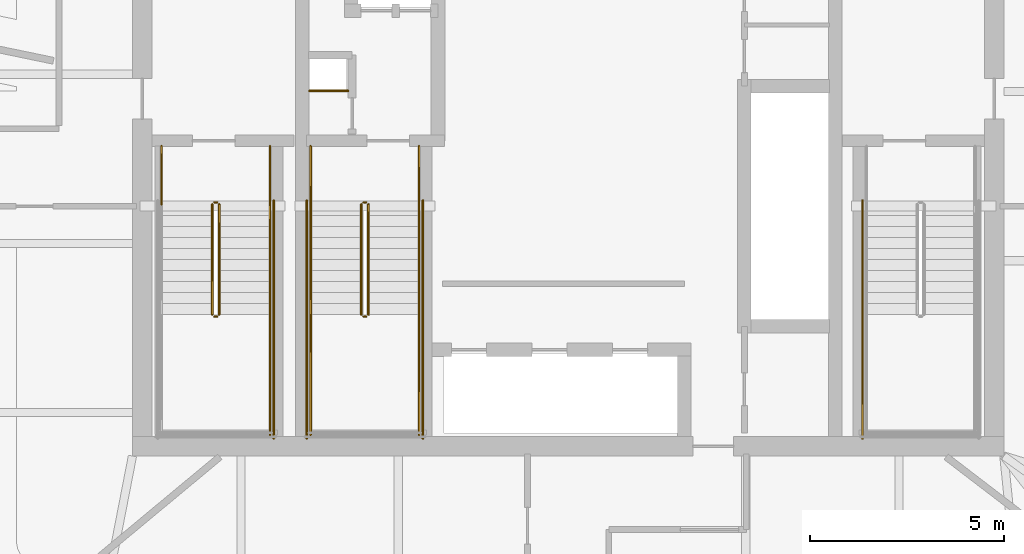
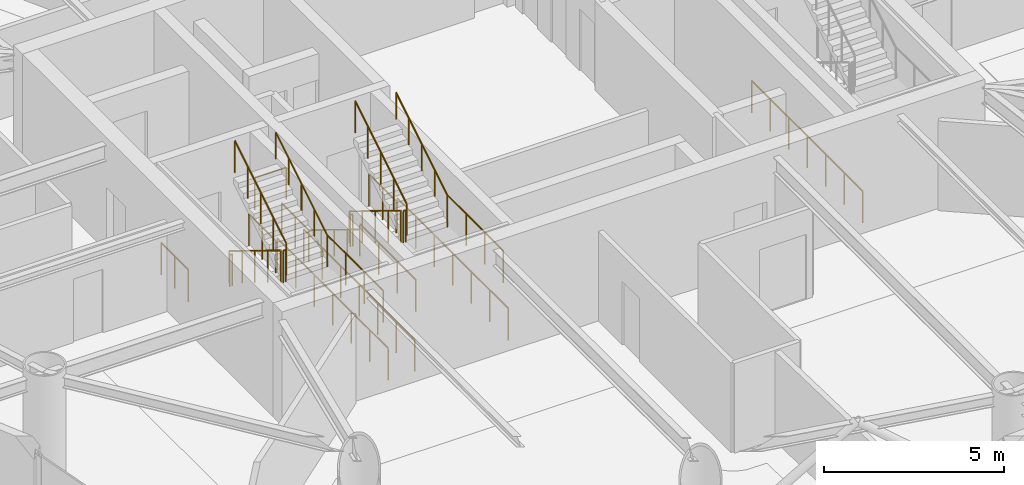
# One storey, part 16 of 18: 23 railings.
"""IFC4 building model written with IfcOpenShell, lengths in metres."""

from ifc_helpers import new_model, si_unit, direction, frame, origin, origin_2d, place, context, subcontext, project, spatial, circle, extrude, material, type_object, element, save


model = new_model("IFC4")

# Units and contexts
model_context = context("Model", 3, precision=1e-05, world=origin(), true_north=direction((0.0, 1.0)))
body_context = subcontext(model_context, "Body", "Model", "MODEL_VIEW")
ifc_project = project(units=[si_unit("LENGTHUNIT", "METRE"), si_unit("AREAUNIT", "SQUARE_METRE"), si_unit("VOLUMEUNIT", "CUBIC_METRE"), si_unit("PLANEANGLEUNIT", "RADIAN"), si_unit("MASSUNIT", "GRAM", prefix="KILO")], contexts=[model_context])

# Site, building, storey
site_placement = place(None, origin())
site = spatial("IfcSite", under=ifc_project, at=site_placement, CompositionType="ELEMENT")
building_placement = place(site_placement, origin())
building = spatial("IfcBuilding", under=site, at=building_placement, Name="Bramvorn Convention Spire", CompositionType="ELEMENT")
storey_placement = place(building_placement, frame((0.0, 0.0, 205.85009765625)))
storey = spatial("IfcBuildingStorey", under=building, at=storey_placement, Name="L52", CompositionType="ELEMENT", Elevation=205.85009765625)

# Railings
ifc_material_1 = material(Name="Painted Steel Balustrade & Guardrail", Category="steel")
railing_type_1 = type_object("IfcRailingType", Name="RL-STAIR-GUARD-1100", PredefinedType="GUARDRAIL", material=ifc_material_1)
railing_1_placement = place(storey_placement, frame((28.81005859375, 25.050048828125, 0.1748046875)))
element("IfcRailing", 1, at=railing_1_placement, inside=storey, type_object=railing_type_1, Name="L52 ST1 stair guard 1", PredefinedType="GUARDRAIL", context=body_context, shape_type="SweptSolid", body=[
    extrude(circle(Radius=0.02392578125, at=origin_2d()), frame((0.0, 0.0, 1.076171875), z_axis=(0.0, -0.852179220489, 0.52325001306), x_axis=(1.0, 0.0, 0.0)), (0.0, 0.0, 1.0), 3.344482421875),
    extrude(circle(Radius=0.02099609375, at=origin_2d()), origin(), (0.0, 0.0, 1.0), 1.052001953125),
    extrude(circle(Radius=0.02099609375, at=origin_2d()), frame((0.0, -0.71240234375, 0.4375)), (0.0, 0.0, 1.0), 1.052001953125),
    extrude(circle(Radius=0.02099609375, at=origin_2d()), frame((0.0, -1.425048828125, 0.875)), (0.0, 0.0, 1.0), 1.052001953125),
    extrude(circle(Radius=0.02099609375, at=origin_2d()), frame((0.0, -2.1376953125, 1.3125)), (0.0, 0.0, 1.0), 1.052001953125),
    extrude(circle(Radius=0.02099609375, at=origin_2d()), frame((0.0, -2.85009765625, 1.75)), (0.0, 0.0, 1.0), 1.052001953125),
])
railing_2_placement = place(storey_placement, frame((28.860107421875, 22.14990234375, 1.9248046875)))
element("IfcRailing", 2, at=railing_2_placement, inside=storey, type_object=railing_type_1, Name="L52 ST1 stair guard 2", PredefinedType="GUARDRAIL", context=body_context, shape_type="SweptSolid", body=[
    extrude(circle(Radius=0.02392578125, at=origin_2d()), frame((0.0, 0.0, 1.076171875), z_axis=(1.0, 0.0, 0.0), x_axis=(0.0, 1.0, 0.0)), (0.0, 0.0, 1.0), 0.079833984375),
    extrude(circle(Radius=0.02099609375, at=origin_2d()), origin(), (0.0, 0.0, 1.0), 1.052001953125),
    extrude(circle(Radius=0.02099609375, at=origin_2d()), frame((0.079833984375, 0.0, 0.0)), (0.0, 0.0, 1.0), 1.052001953125),
])
railing_3_placement = place(storey_placement, frame((30.300048828125, 22.199951171875, 1.9248046875)))
element("IfcRailing", 3, at=railing_3_placement, inside=storey, type_object=railing_type_1, Name="L52 ST1 stair guard 4", PredefinedType="GUARDRAIL", context=body_context, shape_type="SweptSolid", body=[
    extrude(circle(Radius=0.02392578125, at=origin_2d()), frame((0.0, 0.0, 1.076171875), z_axis=(0.0, -1.0, 0.0), x_axis=(1.0, 0.0, 0.0)), (0.0, 0.0, 1.0), 3.099853515625),
    extrude(circle(Radius=0.02099609375, at=origin_2d()), origin(), (0.0, 0.0, 1.0), 1.052001953125),
    extrude(circle(Radius=0.02099609375, at=origin_2d()), frame((0.0, -1.033203125, 0.0)), (0.0, 0.0, 1.0), 1.052001953125),
    extrude(circle(Radius=0.02099609375, at=origin_2d()), frame((0.0, -2.066650390625, 0.0)), (0.0, 0.0, 1.0), 1.052001953125),
    extrude(circle(Radius=0.02099609375, at=origin_2d()), frame((0.0, -3.099853515625, 0.0)), (0.0, 0.0, 1.0), 1.052001953125),
])
railing_4_placement = place(storey_placement, frame((28.989990234375, 22.199951171875, 2.099853515625)))
element("IfcRailing", 4, at=railing_4_placement, inside=storey, type_object=railing_type_1, Name="L52 ST1 stair guard 6", PredefinedType="GUARDRAIL", context=body_context, shape_type="SweptSolid", body=[
    extrude(circle(Radius=0.02392578125, at=origin_2d()), frame((0.0, 0.0, 1.076171875), z_axis=(0.0, 0.852179220489, 0.52325001306), x_axis=(-1.0, 0.0, 0.0)), (0.0, 0.0, 1.0), 3.344482421875),
    extrude(circle(Radius=0.02099609375, at=origin_2d()), origin(), (0.0, 0.0, 1.0), 1.052001953125),
    extrude(circle(Radius=0.02099609375, at=origin_2d()), frame((0.0, 0.71240234375, 0.4375)), (0.0, 0.0, 1.0), 1.052001953125),
    extrude(circle(Radius=0.02099609375, at=origin_2d()), frame((0.0, 1.425048828125, 0.875)), (0.0, 0.0, 1.0), 1.052001953125),
    extrude(circle(Radius=0.02099609375, at=origin_2d()), frame((0.0, 2.1376953125, 1.3125)), (0.0, 0.0, 1.0), 1.052001953125),
    extrude(circle(Radius=0.02099609375, at=origin_2d()), frame((0.0, 2.85009765625, 1.75)), (0.0, 0.0, 1.0), 1.052001953125),
])
railing_5_placement = place(storey_placement, frame((28.860107421875, 25.10009765625, 0.0)))
element("IfcRailing", 5, at=railing_5_placement, inside=storey, type_object=railing_type_1, Name="L52 ST1 stair guard 7", PredefinedType="GUARDRAIL", context=body_context, shape_type="SweptSolid", body=[
    extrude(circle(Radius=0.02392578125, at=origin_2d()), frame((0.0, 0.0, 1.076171875), z_axis=(1.0, 0.0, 0.0), x_axis=(0.0, 1.0, 0.0)), (0.0, 0.0, 1.0), 0.079833984375),
    extrude(circle(Radius=0.02099609375, at=origin_2d()), origin(), (0.0, 0.0, 1.0), 1.052001953125),
    extrude(circle(Radius=0.02099609375, at=origin_2d()), frame((0.079833984375, 0.0, 0.0)), (0.0, 0.0, 1.0), 1.052001953125),
])
for number, where, name in (
    (6, (27.5, 26.550048828125, 0.0), "L52 ST1 stair guard 8"),
    (7, (30.300048828125, 26.550048828125, 0.0), "L52 ST1 stair guard 9"),
):
    element("IfcRailing", number, at=place(storey_placement, frame(where)), inside=storey, type_object=railing_type_1, Name=name, PredefinedType="GUARDRAIL", context=body_context, shape_type="SweptSolid", body=[
        extrude(circle(Radius=0.02392578125, at=origin_2d()), frame((0.0, 0.0, 1.076171875), z_axis=(0.0, -1.0, 0.0), x_axis=(1.0, 0.0, 0.0)), (0.0, 0.0, 1.0), 1.5),
        extrude(circle(Radius=0.02099609375, at=origin_2d()), origin(), (0.0, 0.0, 1.0), 1.052001953125),
        extrude(circle(Radius=0.02099609375, at=origin_2d()), frame((0.0, -0.75, 0.0)), (0.0, 0.0, 1.0), 1.052001953125),
        extrude(circle(Radius=0.02099609375, at=origin_2d()), frame((0.0, -1.5, 0.0)), (0.0, 0.0, 1.0), 1.052001953125),
    ])
for number, where, name in (
    (8, (30.39990234375, 25.14990234375, 0.0), "L52 ST1 stair guard 11"),
    (9, (45.60009765625, 25.14990234375, 0.0), "L52 ST2 stair guard 10"),
):
    element("IfcRailing", number, at=place(storey_placement, frame(where)), inside=storey, type_object=railing_type_1, Name=name, PredefinedType="GUARDRAIL", context=body_context, shape_type="SweptSolid", body=[
        extrude(circle(Radius=0.02392578125, at=origin_2d()), frame((0.0, 0.0, 1.076171875), z_axis=(0.0, -1.0, 0.0), x_axis=(1.0, 0.0, 0.0)), (0.0, 0.0, 1.0), 6.14990234375),
        extrude(circle(Radius=0.02099609375, at=origin_2d()), origin(), (0.0, 0.0, 1.0), 1.052001953125),
        extrude(circle(Radius=0.02099609375, at=origin_2d()), frame((0.0, -1.02490234375, 0.0)), (0.0, 0.0, 1.0), 1.052001953125),
        extrude(circle(Radius=0.02099609375, at=origin_2d()), frame((0.0, -2.050048828125, 0.0)), (0.0, 0.0, 1.0), 1.052001953125),
        extrude(circle(Radius=0.02099609375, at=origin_2d()), frame((0.0, -3.074951171875, 0.0)), (0.0, 0.0, 1.0), 1.052001953125),
        extrude(circle(Radius=0.02099609375, at=origin_2d()), frame((0.0, -4.099853515625, 0.0)), (0.0, 0.0, 1.0), 1.052001953125),
        extrude(circle(Radius=0.02099609375, at=origin_2d()), frame((0.0, -5.125, 0.0)), (0.0, 0.0, 1.0), 1.052001953125),
        extrude(circle(Radius=0.02099609375, at=origin_2d()), frame((0.0, -6.14990234375, 0.0)), (0.0, 0.0, 1.0), 1.052001953125),
    ])
railing_6_placement = place(storey_placement, frame((32.659912109375, 25.050048828125, 0.1748046875)))
element("IfcRailing", 10, at=railing_6_placement, inside=storey, type_object=railing_type_1, Name="L52 ST3 stair guard 1", PredefinedType="GUARDRAIL", context=body_context, shape_type="SweptSolid", body=[
    extrude(circle(Radius=0.02392578125, at=origin_2d()), frame((0.0, 0.0, 1.076171875), z_axis=(0.0, -0.852179220489, 0.52325001306), x_axis=(1.0, 0.0, 0.0)), (0.0, 0.0, 1.0), 3.344482421875),
    extrude(circle(Radius=0.02099609375, at=origin_2d()), origin(), (0.0, 0.0, 1.0), 1.052001953125),
    extrude(circle(Radius=0.02099609375, at=origin_2d()), frame((0.0, -0.71240234375, 0.4375)), (0.0, 0.0, 1.0), 1.052001953125),
    extrude(circle(Radius=0.02099609375, at=origin_2d()), frame((0.0, -1.425048828125, 0.875)), (0.0, 0.0, 1.0), 1.052001953125),
    extrude(circle(Radius=0.02099609375, at=origin_2d()), frame((0.0, -2.1376953125, 1.3125)), (0.0, 0.0, 1.0), 1.052001953125),
    extrude(circle(Radius=0.02099609375, at=origin_2d()), frame((0.0, -2.85009765625, 1.75)), (0.0, 0.0, 1.0), 1.052001953125),
])
railing_7_placement = place(storey_placement, frame((32.7099609375, 22.14990234375, 1.9248046875)))
element("IfcRailing", 11, at=railing_7_placement, inside=storey, type_object=railing_type_1, Name="L52 ST3 stair guard 2", PredefinedType="GUARDRAIL", context=body_context, shape_type="SweptSolid", body=[
    extrude(circle(Radius=0.02392578125, at=origin_2d()), frame((0.0, 0.0, 1.076171875), z_axis=(1.0, 0.0, 0.0), x_axis=(0.0, 1.0, 0.0)), (0.0, 0.0, 1.0), 0.080078125),
    extrude(circle(Radius=0.02099609375, at=origin_2d()), origin(), (0.0, 0.0, 1.0), 1.052001953125),
    extrude(circle(Radius=0.02099609375, at=origin_2d()), frame((0.080078125, 0.0, 0.0)), (0.0, 0.0, 1.0), 1.052001953125),
])
for number, where, name in (
    (12, (31.35009765625, 22.199951171875, 1.9248046875), "L52 ST3 stair guard 3"),
    (13, (34.14990234375, 22.199951171875, 1.9248046875), "L52 ST3 stair guard 4"),
):
    element("IfcRailing", number, at=place(storey_placement, frame(where)), inside=storey, type_object=railing_type_1, Name=name, PredefinedType="GUARDRAIL", context=body_context, shape_type="SweptSolid", body=[
        extrude(circle(Radius=0.02392578125, at=origin_2d()), frame((0.0, 0.0, 1.076171875), z_axis=(0.0, -1.0, 0.0), x_axis=(1.0, 0.0, 0.0)), (0.0, 0.0, 1.0), 3.099853515625),
        extrude(circle(Radius=0.02099609375, at=origin_2d()), origin(), (0.0, 0.0, 1.0), 1.052001953125),
        extrude(circle(Radius=0.02099609375, at=origin_2d()), frame((0.0, -1.033203125, 0.0)), (0.0, 0.0, 1.0), 1.052001953125),
        extrude(circle(Radius=0.02099609375, at=origin_2d()), frame((0.0, -2.066650390625, 0.0)), (0.0, 0.0, 1.0), 1.052001953125),
        extrude(circle(Radius=0.02099609375, at=origin_2d()), frame((0.0, -3.099853515625, 0.0)), (0.0, 0.0, 1.0), 1.052001953125),
    ])
railing_8_placement = place(storey_placement, frame((32.840087890625, 22.199951171875, 2.099853515625)))
element("IfcRailing", 14, at=railing_8_placement, inside=storey, type_object=railing_type_1, Name="L52 ST3 stair guard 6", PredefinedType="GUARDRAIL", context=body_context, shape_type="SweptSolid", body=[
    extrude(circle(Radius=0.02392578125, at=origin_2d()), frame((0.0, 0.0, 1.076171875), z_axis=(0.0, 0.852179220489, 0.52325001306), x_axis=(-1.0, 0.0, 0.0)), (0.0, 0.0, 1.0), 3.344482421875),
    extrude(circle(Radius=0.02099609375, at=origin_2d()), origin(), (0.0, 0.0, 1.0), 1.052001953125),
    extrude(circle(Radius=0.02099609375, at=origin_2d()), frame((0.0, 0.71240234375, 0.4375)), (0.0, 0.0, 1.0), 1.052001953125),
    extrude(circle(Radius=0.02099609375, at=origin_2d()), frame((0.0, 1.425048828125, 0.875)), (0.0, 0.0, 1.0), 1.052001953125),
    extrude(circle(Radius=0.02099609375, at=origin_2d()), frame((0.0, 2.1376953125, 1.3125)), (0.0, 0.0, 1.0), 1.052001953125),
    extrude(circle(Radius=0.02099609375, at=origin_2d()), frame((0.0, 2.85009765625, 1.75)), (0.0, 0.0, 1.0), 1.052001953125),
])
railing_9_placement = place(storey_placement, frame((32.7099609375, 25.10009765625, 0.0)))
element("IfcRailing", 15, at=railing_9_placement, inside=storey, type_object=railing_type_1, Name="L52 ST3 stair guard 7", PredefinedType="GUARDRAIL", context=body_context, shape_type="SweptSolid", body=[
    extrude(circle(Radius=0.02392578125, at=origin_2d()), frame((0.0, 0.0, 1.076171875), z_axis=(1.0, 0.0, 0.0), x_axis=(0.0, 1.0, 0.0)), (0.0, 0.0, 1.0), 0.080078125),
    extrude(circle(Radius=0.02099609375, at=origin_2d()), origin(), (0.0, 0.0, 1.0), 1.052001953125),
    extrude(circle(Radius=0.02099609375, at=origin_2d()), frame((0.080078125, 0.0, 0.0)), (0.0, 0.0, 1.0), 1.052001953125),
])
for number, where, name in (
    (16, (31.35009765625, 26.550048828125, 0.0), "L52 ST3 stair guard 8"),
    (17, (34.14990234375, 26.550048828125, 0.0), "L52 ST3 stair guard 9"),
):
    element("IfcRailing", number, at=place(storey_placement, frame(where)), inside=storey, type_object=railing_type_1, Name=name, PredefinedType="GUARDRAIL", context=body_context, shape_type="SweptSolid", body=[
        extrude(circle(Radius=0.02392578125, at=origin_2d()), frame((0.0, 0.0, 1.076171875), z_axis=(0.0, -1.0, 0.0), x_axis=(1.0, 0.0, 0.0)), (0.0, 0.0, 1.0), 1.5),
        extrude(circle(Radius=0.02099609375, at=origin_2d()), origin(), (0.0, 0.0, 1.0), 1.052001953125),
        extrude(circle(Radius=0.02099609375, at=origin_2d()), frame((0.0, -0.75, 0.0)), (0.0, 0.0, 1.0), 1.052001953125),
        extrude(circle(Radius=0.02099609375, at=origin_2d()), frame((0.0, -1.5, 0.0)), (0.0, 0.0, 1.0), 1.052001953125),
    ])
for number, where, name in (
    (18, (31.25, 25.14990234375, 0.0), "L52 ST3 stair guard 10"),
    (19, (34.25, 25.14990234375, 0.0), "L52 ST3 stair guard 11"),
):
    element("IfcRailing", number, at=place(storey_placement, frame(where)), inside=storey, type_object=railing_type_1, Name=name, PredefinedType="GUARDRAIL", context=body_context, shape_type="SweptSolid", body=[
        extrude(circle(Radius=0.02392578125, at=origin_2d()), frame((0.0, 0.0, 1.076171875), z_axis=(0.0, -1.0, 0.0), x_axis=(1.0, 0.0, 0.0)), (0.0, 0.0, 1.0), 6.14990234375),
        extrude(circle(Radius=0.02099609375, at=origin_2d()), origin(), (0.0, 0.0, 1.0), 1.052001953125),
        extrude(circle(Radius=0.02099609375, at=origin_2d()), frame((0.0, -1.02490234375, 0.0)), (0.0, 0.0, 1.0), 1.052001953125),
        extrude(circle(Radius=0.02099609375, at=origin_2d()), frame((0.0, -2.050048828125, 0.0)), (0.0, 0.0, 1.0), 1.052001953125),
        extrude(circle(Radius=0.02099609375, at=origin_2d()), frame((0.0, -3.074951171875, 0.0)), (0.0, 0.0, 1.0), 1.052001953125),
        extrude(circle(Radius=0.02099609375, at=origin_2d()), frame((0.0, -4.099853515625, 0.0)), (0.0, 0.0, 1.0), 1.052001953125),
        extrude(circle(Radius=0.02099609375, at=origin_2d()), frame((0.0, -5.125, 0.0)), (0.0, 0.0, 1.0), 1.052001953125),
        extrude(circle(Radius=0.02099609375, at=origin_2d()), frame((0.0, -6.14990234375, 0.0)), (0.0, 0.0, 1.0), 1.052001953125),
    ])
railing_10_placement = place(storey_placement, frame((31.320068359375, 27.97998046875, 0.0)))
element("IfcRailing", 20, at=railing_10_placement, inside=storey, type_object=railing_type_1, Name="L52 Telecom riser shaft opening safety guardrail", PredefinedType="GUARDRAIL", context=body_context, shape_type="SweptSolid", body=[
    extrude(circle(Radius=0.02392578125, at=origin_2d()), frame((0.0, 0.0, 1.076171875), z_axis=(1.0, 0.0, 0.0), x_axis=(0.0, 1.0, 0.0)), (0.0, 0.0, 1.0), 1.0),
    extrude(circle(Radius=0.02099609375, at=origin_2d()), origin(), (0.0, 0.0, 1.0), 1.052001953125),
    extrude(circle(Radius=0.02099609375, at=origin_2d()), frame((1.0, 0.0, 0.0)), (0.0, 0.0, 1.0), 1.052001953125),
])
ifc_material_2 = material(Name="Brushed Bronze Tubular Handrail", Category="aluminium")
railing_type_2 = type_object("IfcRailingType", Name="RL-STAIR-HR-920", PredefinedType="HANDRAIL", material=ifc_material_2)
railing_11_placement = place(storey_placement, frame((30.300048828125, 22.199951171875, 2.099853515625)))
element("IfcRailing", 21, at=railing_11_placement, inside=storey, type_object=railing_type_2, Name="L52 ST1 stair handrail 2", PredefinedType="HANDRAIL", context=body_context, shape_type="SweptSolid", body=[
    extrude(circle(Radius=0.02392578125, at=origin_2d()), frame((0.0, 0.0, 0.89599609375), z_axis=(0.0, 0.852179220489, 0.52325001306), x_axis=(-1.0, 0.0, 0.0)), (0.0, 0.0, 1.0), 3.344482421875),
    extrude(circle(Radius=0.02099609375, at=origin_2d()), origin(), (0.0, 0.0, 1.0), 0.871826171875),
    extrude(circle(Radius=0.02099609375, at=origin_2d()), frame((0.0, 0.71240234375, 0.4375)), (0.0, 0.0, 1.0), 0.871826171875),
    extrude(circle(Radius=0.02099609375, at=origin_2d()), frame((0.0, 1.425048828125, 0.875)), (0.0, 0.0, 1.0), 0.871826171875),
    extrude(circle(Radius=0.02099609375, at=origin_2d()), frame((0.0, 2.1376953125, 1.3125)), (0.0, 0.0, 1.0), 0.871826171875),
    extrude(circle(Radius=0.02099609375, at=origin_2d()), frame((0.0, 2.85009765625, 1.75)), (0.0, 0.0, 1.0), 0.871826171875),
])
railing_12_placement = place(storey_placement, frame((31.35009765625, 25.050048828125, 0.1748046875)))
element("IfcRailing", 22, at=railing_12_placement, inside=storey, type_object=railing_type_2, Name="L52 ST3 stair handrail 1", PredefinedType="HANDRAIL", context=body_context, shape_type="SweptSolid", body=[
    extrude(circle(Radius=0.02392578125, at=origin_2d()), frame((0.0, 0.0, 0.89599609375), z_axis=(0.0, -0.852179220489, 0.52325001306), x_axis=(1.0, 0.0, 0.0)), (0.0, 0.0, 1.0), 3.344482421875),
    extrude(circle(Radius=0.02099609375, at=origin_2d()), origin(), (0.0, 0.0, 1.0), 0.871826171875),
    extrude(circle(Radius=0.02099609375, at=origin_2d()), frame((0.0, -0.71240234375, 0.4375)), (0.0, 0.0, 1.0), 0.871826171875),
    extrude(circle(Radius=0.02099609375, at=origin_2d()), frame((0.0, -1.425048828125, 0.875)), (0.0, 0.0, 1.0), 0.871826171875),
    extrude(circle(Radius=0.02099609375, at=origin_2d()), frame((0.0, -2.1376953125, 1.3125)), (0.0, 0.0, 1.0), 0.871826171875),
    extrude(circle(Radius=0.02099609375, at=origin_2d()), frame((0.0, -2.85009765625, 1.75)), (0.0, 0.0, 1.0), 0.871826171875),
])
railing_13_placement = place(storey_placement, frame((34.14990234375, 22.199951171875, 2.099853515625)))
element("IfcRailing", 23, at=railing_13_placement, inside=storey, type_object=railing_type_2, Name="L52 ST3 stair handrail 2", PredefinedType="HANDRAIL", context=body_context, shape_type="SweptSolid", body=[
    extrude(circle(Radius=0.02392578125, at=origin_2d()), frame((0.0, 0.0, 0.89599609375), z_axis=(0.0, 0.852179220489, 0.52325001306), x_axis=(-1.0, 0.0, 0.0)), (0.0, 0.0, 1.0), 3.344482421875),
    extrude(circle(Radius=0.02099609375, at=origin_2d()), origin(), (0.0, 0.0, 1.0), 0.871826171875),
    extrude(circle(Radius=0.02099609375, at=origin_2d()), frame((0.0, 0.71240234375, 0.4375)), (0.0, 0.0, 1.0), 0.871826171875),
    extrude(circle(Radius=0.02099609375, at=origin_2d()), frame((0.0, 1.425048828125, 0.875)), (0.0, 0.0, 1.0), 0.871826171875),
    extrude(circle(Radius=0.02099609375, at=origin_2d()), frame((0.0, 2.1376953125, 1.3125)), (0.0, 0.0, 1.0), 0.871826171875),
    extrude(circle(Radius=0.02099609375, at=origin_2d()), frame((0.0, 2.85009765625, 1.75)), (0.0, 0.0, 1.0), 0.871826171875),
])

save(model, "model.ifc")
